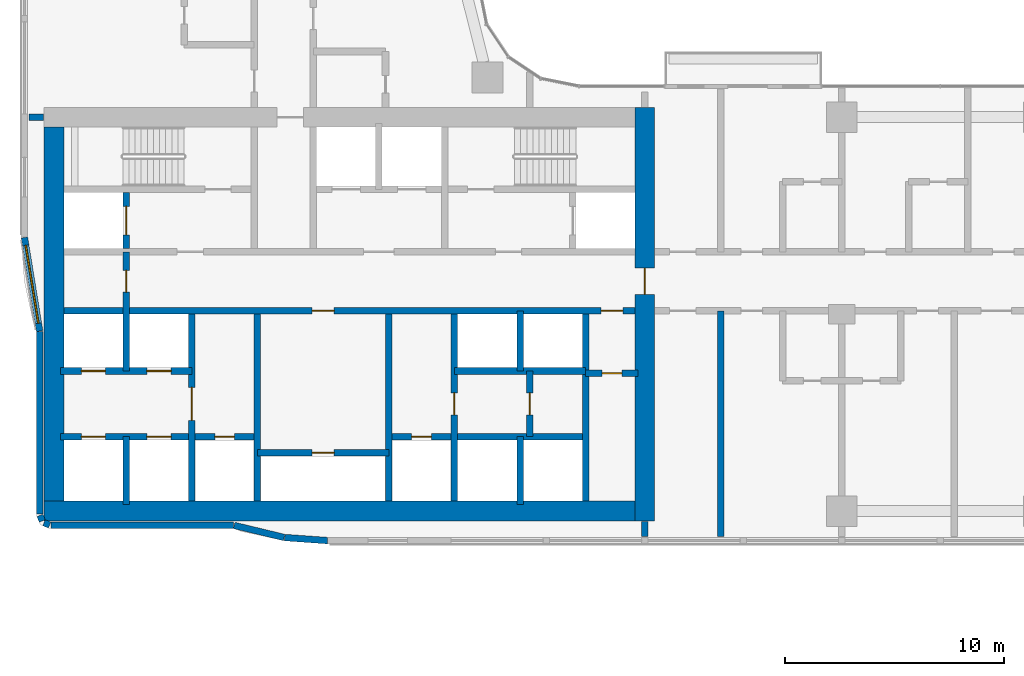
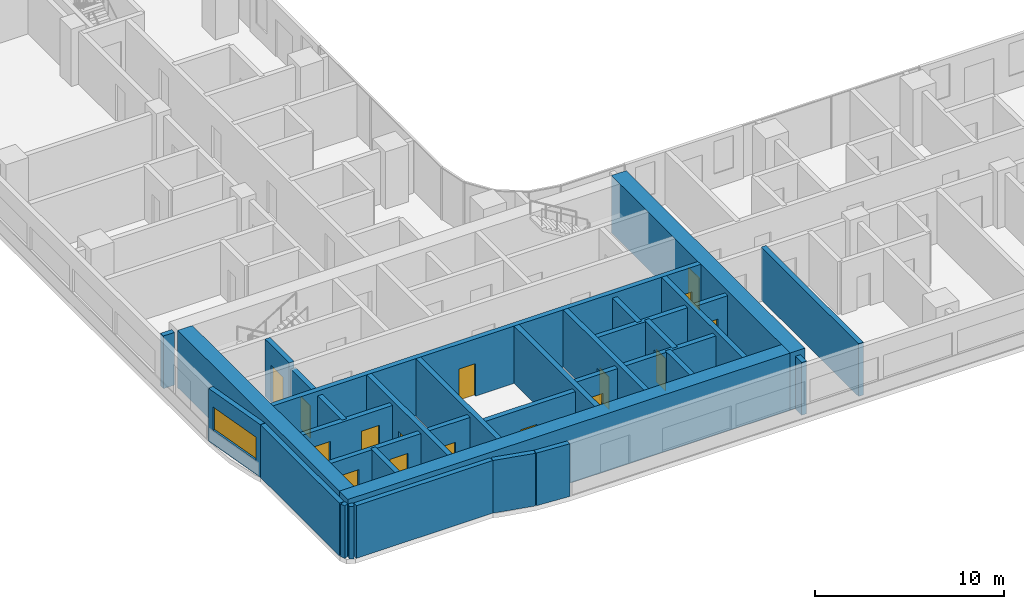
# One storey, part 14 of 31: 31 walls, 16 doors, 1 window, 17 openings.
"""IFC4 building model written with IfcOpenShell, lengths in metres."""

from ifc_helpers import new_model, si_unit, direction, frame, frame_2d, origin, place, context, subcontext, project, spatial, rectangle, extrude, material, layer, layer_set, type_object, element, fill, save


model = new_model("IFC4")

# Units and contexts
model_context = context("Model", 3, precision=1e-05, world=origin(), true_north=direction((0.0, 1.0)))
body_context = subcontext(model_context, "Body", "Model", "MODEL_VIEW")
ifc_project = project(units=[si_unit("LENGTHUNIT", "METRE"), si_unit("AREAUNIT", "SQUARE_METRE"), si_unit("VOLUMEUNIT", "CUBIC_METRE"), si_unit("PLANEANGLEUNIT", "RADIAN"), si_unit("MASSUNIT", "GRAM", prefix="KILO")], contexts=[model_context])

# Site, building, storey
site_placement = place(None, origin())
site = spatial("IfcSite", under=ifc_project, at=site_placement, CompositionType="ELEMENT")
building_placement = place(site_placement, origin())
building = spatial("IfcBuilding", under=site, at=building_placement, Name="Ogive Portal Towers", CompositionType="ELEMENT")
storey_placement = place(building_placement, frame((0.0, 0.0, 74.199951171875)))
storey = spatial("IfcBuildingStorey", under=building, at=storey_placement, Name="L17", CompositionType="ELEMENT", Elevation=74.199951171875)

# Wall, opening, door
ifc_material_1 = material(Name="Concrete C60/75", Category="concrete")
ifc_layer_1 = layer(ifc_material_1, 0.300048828125)
ifc_layer_set_1 = layer_set([ifc_layer_1], Name="CORE WALL 300 C60")
wall_type_1 = type_object("IfcWallType", Name="CORE WALL 300 C60", PredefinedType="SHEAR", material=ifc_layer_set_1)
wall_1_placement = place(storey_placement, frame((37.800048828125, 21.949951171875, 0.0), z_axis=(0.0, 0.0, 1.0), x_axis=(0.0, 1.0, 0.0)))
wall_1 = element("IfcWall", 1, at=wall_1_placement, inside=storey, type_object=wall_type_1, Name="Core wall X1 L17", PredefinedType="SHEAR", context=body_context, shape_type="SweptSolid", body=[
    extrude(rectangle(XDim=8.550048828125, YDim=0.300048828125, at=frame_2d((4.27490234375, 0.0))), origin(), (0.0, 0.0, 1.0), 3.699951171875),
])
opening_1_placement = place(wall_1_placement, frame((3.699951171875, 0.0, 0.0)))
opening_1 = element("IfcOpeningElement", 2, at=opening_1_placement, cuts=wall_1, Name="Opening D05-001", PredefinedType="OPENING", context=body_context, shape_type="SweptSolid", body=[
    extrude(rectangle(XDim=1.5, YDim=2.10009765625, at=frame_2d((0.75, 1.050048828125))), frame((0.0, 0.16015625, 0.0), z_axis=(0.0, -1.0, 0.0), x_axis=(1.0, 0.0, 0.0)), (0.0, 0.0, 1.0), 0.320068359375),
])
ifc_material_2 = material(Name="Steel fire door", Category="steel")
door_type_1 = type_object("IfcDoorType", Name="DT-SWING-1500x2100-FD90S", OperationType="SINGLE_SWING_LEFT", PredefinedType="DOOR", material=ifc_material_2)
door_1_placement = place(opening_1_placement, origin())
door_1 = element("IfcDoor", 3, at=door_1_placement, inside=storey, type_object=door_type_1, Name="Door D05-001", OperationType="SINGLE_SWING_LEFT", OverallHeight=2.10009765625, OverallWidth=1.5, PredefinedType="DOOR", context=body_context, shape_type="SweptSolid", body=[
    extrude(rectangle(XDim=1.5, YDim=2.10009765625, at=frame_2d((0.75, 1.050048828125))), frame((0.0, 0.02490234375, 0.0), z_axis=(0.0, -1.0, 0.0), x_axis=(1.0, 0.0, 0.0)), (0.0, 0.0, 1.0), 0.050048828125),
])
fill(opening_1, door_1)

# Walls
for number, where, z_axis, x_axis, name in (
    (4, (40.800048828125, 21.949951171875, 0.0), (0.0, 0.0, 1.0), (0.0, 1.0, 0.0), "Core wall X2 L17"),
    (5, (46.800048828125, 21.949951171875, 0.0), (0.0, 0.0, 1.0), (0.0, 1.0, 0.0), "Core wall X3 L17"),
):
    element("IfcWall", number, at=place(storey_placement, frame(where, z_axis=z_axis, x_axis=x_axis)), inside=storey, type_object=wall_type_1, Name=name, PredefinedType="SHEAR", context=body_context, shape_type="SweptSolid", body=[
        extrude(rectangle(XDim=8.550048828125, YDim=0.300048828125, at=frame_2d((4.27490234375, 0.0))), origin(), (0.0, 0.0, 1.0), 3.699951171875),
    ])

# Wall, opening, door
wall_2_placement = place(storey_placement, frame((49.800048828125, 21.949951171875, 0.0), z_axis=(0.0, 0.0, 1.0), x_axis=(0.0, 1.0, 0.0)))
wall_2 = element("IfcWall", 6, at=wall_2_placement, inside=storey, type_object=wall_type_1, Name="Core wall X4 L17", PredefinedType="SHEAR", context=body_context, shape_type="SweptSolid", body=[
    extrude(rectangle(XDim=8.550048828125, YDim=0.300048828125, at=frame_2d((4.27490234375, 0.0))), origin(), (0.0, 0.0, 1.0), 3.699951171875),
])
opening_2_placement = place(wall_2_placement, frame((3.949951171875, 0.0, 0.0)))
opening_2 = element("IfcOpeningElement", 7, at=opening_2_placement, cuts=wall_2, Name="Opening D05-023", PredefinedType="OPENING", context=body_context, shape_type="SweptSolid", body=[
    extrude(rectangle(XDim=1.0, YDim=2.10009765625, at=frame_2d((0.5, 1.050048828125))), frame((0.0, 0.16015625, 0.0), z_axis=(0.0, -1.0, 0.0), x_axis=(1.0, 0.0, 0.0)), (0.0, 0.0, 1.0), 0.320068359375),
])
door_type_2 = type_object("IfcDoorType", Name="DT-SWING-1000x2100-FD90S", OperationType="SINGLE_SWING_LEFT", PredefinedType="DOOR", material=ifc_material_2)
door_2_placement = place(opening_2_placement, origin())
door_2 = element("IfcDoor", 8, at=door_2_placement, inside=storey, type_object=door_type_2, Name="Door D05-023", OperationType="SINGLE_SWING_LEFT", OverallHeight=2.10009765625, OverallWidth=1.0, PredefinedType="DOOR", context=body_context, shape_type="SweptSolid", body=[
    extrude(rectangle(XDim=1.0, YDim=2.10009765625, at=frame_2d((0.5, 1.050048828125))), frame((0.0, 0.02490234375, 0.0), z_axis=(0.0, -1.0, 0.0), x_axis=(1.0, 0.0, 0.0)), (0.0, 0.0, 1.0), 0.050048828125),
])
fill(opening_2, door_2)

# Wall
wall_3_placement = place(storey_placement, frame((55.800048828125, 21.949951171875, 0.0), z_axis=(0.0, 0.0, 1.0), x_axis=(0.0, 1.0, 0.0)))
element("IfcWall", 9, at=wall_3_placement, inside=storey, type_object=wall_type_1, Name="Core wall X5 L17", PredefinedType="SHEAR", context=body_context, shape_type="SweptSolid", body=[
    extrude(rectangle(XDim=8.550048828125, YDim=0.300048828125, at=frame_2d((4.27490234375, 0.0))), origin(), (0.0, 0.0, 1.0), 3.699951171875),
])

# Wall, openings, doors
wall_4_placement = place(storey_placement, frame((31.949951171875, 30.64990234375, 0.0), z_axis=(0.0, 0.0, 1.0), x_axis=(1.0, 0.0, 0.0)))
wall_4 = element("IfcWall", 10, at=wall_4_placement, inside=storey, type_object=wall_type_1, Name="Core wall Y1 L17", PredefinedType="SHEAR", context=body_context, shape_type="SweptSolid", body=[
    extrude(rectangle(XDim=26.10009765625, YDim=0.300048828125, at=frame_2d((13.050048828125, 0.0))), origin(), (0.0, 0.0, 1.0), 3.699951171875),
])
opening_3_placement = place(wall_4_placement, frame((24.550048828125, 0.0, 0.0)))
opening_3 = element("IfcOpeningElement", 11, at=opening_3_placement, cuts=wall_4, Name="Opening D05-009", PredefinedType="OPENING", context=body_context, shape_type="SweptSolid", body=[
    extrude(rectangle(XDim=1.0, YDim=2.10009765625, at=frame_2d((0.5, 1.050048828125))), frame((0.0, 0.16015625, 0.0), z_axis=(0.0, -1.0, 0.0), x_axis=(1.0, 0.0, 0.0)), (0.0, 0.0, 1.0), 0.320068359375),
])
opening_4_placement = place(wall_4_placement, frame((11.35009765625, 0.0, 0.0)))
opening_4 = element("IfcOpeningElement", 12, at=opening_4_placement, cuts=wall_4, Name="Opening D05-021", PredefinedType="OPENING", context=body_context, shape_type="SweptSolid", body=[
    extrude(rectangle(XDim=1.0, YDim=2.10009765625, at=frame_2d((0.5, 1.050048828125))), frame((0.0, 0.16015625, 0.0), z_axis=(0.0, -1.0, 0.0), x_axis=(1.0, 0.0, 0.0)), (0.0, 0.0, 1.0), 0.320068359375),
])
door_3_placement = place(opening_3_placement, origin())
door_3 = element("IfcDoor", 13, at=door_3_placement, inside=storey, type_object=door_type_2, Name="Door D05-009", OperationType="SINGLE_SWING_LEFT", OverallHeight=2.10009765625, OverallWidth=1.0, PredefinedType="DOOR", context=body_context, shape_type="SweptSolid", body=[
    extrude(rectangle(XDim=1.0, YDim=2.10009765625, at=frame_2d((0.5, 1.050048828125))), frame((0.0, 0.02490234375, 0.0), z_axis=(0.0, -1.0, 0.0), x_axis=(1.0, 0.0, 0.0)), (0.0, 0.0, 1.0), 0.050048828125),
])
fill(opening_3, door_3)
door_4_placement = place(opening_4_placement, origin())
door_4 = element("IfcDoor", 14, at=door_4_placement, inside=storey, type_object=door_type_2, Name="Door D05-021", OperationType="SINGLE_SWING_LEFT", OverallHeight=2.10009765625, OverallWidth=1.0, PredefinedType="DOOR", context=body_context, shape_type="SweptSolid", body=[
    extrude(rectangle(XDim=1.0, YDim=2.10009765625, at=frame_2d((0.5, 1.050048828125))), frame((0.0, 0.02490234375, 0.0), z_axis=(0.0, -1.0, 0.0), x_axis=(1.0, 0.0, 0.0)), (0.0, 0.0, 1.0), 0.050048828125),
])
fill(opening_4, door_4)

# Wall, opening, door
wall_5_placement = place(storey_placement, frame((34.800048828125, 33.5, 0.0), z_axis=(0.0, 0.0, 1.0), x_axis=(0.0, 1.0, 0.0)))
wall_5 = element("IfcWall", 15, at=wall_5_placement, inside=storey, type_object=wall_type_1, Name="Core wall X8 L17", PredefinedType="SHEAR", context=body_context, shape_type="SweptSolid", body=[
    extrude(rectangle(XDim=2.550048828125, YDim=0.300048828125, at=frame_2d((1.27490234375, 0.0))), origin(), (0.0, 0.0, 1.0), 3.699951171875),
])
opening_5_placement = place(wall_5_placement, frame((0.625, 0.0, 0.0)))
opening_5 = element("IfcOpeningElement", 16, at=opening_5_placement, cuts=wall_5, Name="Opening D05-019", PredefinedType="OPENING", context=body_context, shape_type="SweptSolid", body=[
    extrude(rectangle(XDim=1.300048828125, YDim=2.39990234375, at=frame_2d((0.64990234375, 1.199951171875))), frame((0.0, 0.16015625, 0.0), z_axis=(0.0, -1.0, 0.0), x_axis=(1.0, 0.0, 0.0)), (0.0, 0.0, 1.0), 0.320068359375),
])
ifc_material_3 = material(Name="Stainless steel", Category="steel")
door_type_3 = type_object("IfcDoorType", Name="DT-LD-1300x2400", OperationType="SLIDING_TO_LEFT", PredefinedType="DOOR", material=ifc_material_3)
door_5_placement = place(opening_5_placement, origin())
door_5 = element("IfcDoor", 17, at=door_5_placement, inside=storey, type_object=door_type_3, Name="Door D05-019", OperationType="SLIDING_TO_LEFT", OverallHeight=2.39990234375, OverallWidth=1.300048828125, PredefinedType="DOOR", context=body_context, shape_type="SweptSolid", body=[
    extrude(rectangle(XDim=1.300048828125, YDim=2.39990234375, at=frame_2d((0.64990234375, 1.199951171875))), frame((0.0, 0.02490234375, 0.0), z_axis=(0.0, -1.0, 0.0), x_axis=(1.0, 0.0, 0.0)), (0.0, 0.0, 1.0), 0.050048828125),
])
fill(opening_5, door_5)

# Walls
ifc_layer_2 = layer(ifc_material_1, 0.89990234375)
ifc_layer_set_2 = layer_set([ifc_layer_2], Name="CORE WALL 900 C60")
wall_type_2 = type_object("IfcWallType", Name="CORE WALL 900 C60", PredefinedType="SHEAR", material=ifc_layer_set_2)
wall_6_placement = place(storey_placement, frame((31.5, 21.949951171875, 0.0), z_axis=(0.0, 0.0, 1.0), x_axis=(0.0, 1.0, 0.0)))
element("IfcWall", 18, at=wall_6_placement, inside=storey, type_object=wall_type_2, Name="Core wall W L17", PredefinedType="SHEAR", context=body_context, shape_type="SweptSolid", body=[
    extrude(rectangle(XDim=17.10009765625, YDim=0.89990234375, at=frame_2d((8.550048828125, 0.0))), origin(), (0.0, 0.0, 1.0), 3.699951171875),
])
wall_7_placement = place(storey_placement, frame((31.050048828125, 21.5, 0.0), z_axis=(0.0, 0.0, 1.0), x_axis=(1.0, 0.0, 0.0)))
element("IfcWall", 19, at=wall_7_placement, inside=storey, type_object=wall_type_2, Name="Core wall S L17", PredefinedType="SHEAR", context=body_context, shape_type="SweptSolid", body=[
    extrude(rectangle(XDim=27.0, YDim=0.89990234375, at=frame_2d((13.5, 0.0))), origin(), (0.0, 0.0, 1.0), 3.699951171875),
])

# Wall, opening, door
wall_8_placement = place(storey_placement, frame((58.5, 21.050048828125, 0.0), z_axis=(0.0, 0.0, 1.0), x_axis=(0.0, 1.0, 0.0)))
wall_8 = element("IfcWall", 20, at=wall_8_placement, inside=storey, type_object=wall_type_2, Name="Core wall E L17", PredefinedType="SHEAR", context=body_context, shape_type="SweptSolid", body=[
    extrude(rectangle(XDim=18.89990234375, YDim=0.89990234375, at=frame_2d((9.449951171875, 0.0))), origin(), (0.0, 0.0, 1.0), 3.699951171875),
])
opening_6_placement = place(wall_8_placement, frame((10.35009765625, 0.0, 0.0)))
opening_6 = element("IfcOpeningElement", 21, at=opening_6_placement, cuts=wall_8, Name="Opening D05-011", PredefinedType="OPENING", context=body_context, shape_type="SweptSolid", body=[
    extrude(rectangle(XDim=1.199951171875, YDim=2.10009765625, at=frame_2d((0.60009765625, 1.050048828125))), frame((0.0, 0.4599609375, 0.0), z_axis=(0.0, -1.0, 0.0), x_axis=(1.0, 0.0, 0.0)), (0.0, 0.0, 1.0), 0.919921875),
])
door_type_4 = type_object("IfcDoorType", Name="DT-SWING-1200x2100-FD90S", OperationType="SINGLE_SWING_LEFT", PredefinedType="DOOR", material=ifc_material_2)
door_6_placement = place(opening_6_placement, origin())
door_6 = element("IfcDoor", 22, at=door_6_placement, inside=storey, type_object=door_type_4, Name="Door D05-011", OperationType="SINGLE_SWING_LEFT", OverallHeight=2.10009765625, OverallWidth=1.199951171875, PredefinedType="DOOR", context=body_context, shape_type="SweptSolid", body=[
    extrude(rectangle(XDim=1.199951171875, YDim=2.10009765625, at=frame_2d((0.60009765625, 1.050048828125))), frame((0.0, 0.02490234375, 0.0), z_axis=(0.0, -1.0, 0.0), x_axis=(1.0, 0.0, 0.0)), (0.0, 0.0, 1.0), 0.050048828125),
])
fill(opening_6, door_6)

# Walls
ifc_material_4 = material(Name="Limestone cladding on lightweight block wall", Category="masonry")
ifc_layer_3 = layer(ifc_material_4, 0.300048828125)
ifc_layer_set_3 = layer_set([ifc_layer_3], Name="EXTERNAL WALL 300 STONE")
wall_type_3 = type_object("IfcWallType", Name="EXTERNAL WALL 300 STONE", PredefinedType="SOLIDWALL", material=ifc_layer_set_3)
wall_9_placement = place(storey_placement, frame((30.85009765625, 29.699462890625, 0.0), z_axis=(0.0, 0.0, 1.0), x_axis=(0.0, -1.0, 0.0)))
element("IfcWall", 23, at=wall_9_placement, inside=storey, type_object=wall_type_3, Name="A:L17:f00:r0:wall", PredefinedType="SOLIDWALL", context=body_context, shape_type="SweptSolid", body=[
    extrude(rectangle(XDim=8.33984375, YDim=0.300048828125, at=frame_2d((4.169921875, 0.0))), origin(), (0.0, 0.0, 1.0), 3.400146484375),
])
for number, where, z_axis, x_axis, name in (
    (24, (30.861328125, 21.30224609375, 0.0), (0.0, 0.0, 1.0), (0.38297812142, -0.923757413239, 0.0), "A:L17:f01:r0:wall"),
    (25, (31.0478515625, 20.966796875, 0.0), (0.0, 0.0, 1.0), (0.923757413239, -0.38297812142, 0.0), "A:L17:f02:r0:wall"),
):
    element("IfcWall", number, at=place(storey_placement, frame(where, z_axis=z_axis, x_axis=x_axis)), inside=storey, type_object=wall_type_3, Name=name, PredefinedType="SOLIDWALL", context=body_context, shape_type="SweptSolid", body=[
        extrude(rectangle(XDim=0.275390625, YDim=0.300048828125, at=frame_2d((0.1376953125, 0.0))), origin(), (0.0, 0.0, 1.0), 3.400146484375),
    ])
wall_10_placement = place(storey_placement, frame((31.359619140625, 20.85009765625, 0.0), z_axis=(0.0, 0.0, 1.0), x_axis=(1.0, 0.0, 0.0)))
element("IfcWall", 26, at=wall_10_placement, inside=storey, type_object=wall_type_3, Name="A:L17:f03:r0:wall", PredefinedType="SOLIDWALL", context=body_context, shape_type="SweptSolid", body=[
    extrude(rectangle(XDim=8.33984375, YDim=0.300048828125, at=frame_2d((4.169921875, 0.0))), origin(), (0.0, 0.0, 1.0), 3.400146484375),
])
wall_11_placement = place(storey_placement, frame((39.734619140625, 20.845703125, 0.0), z_axis=(0.0, 0.0, 1.0), x_axis=(0.97206095595, -0.234728562212, 0.0)))
element("IfcWall", 27, at=wall_11_placement, inside=storey, type_object=wall_type_3, Name="A:L17:f04:r0:wall", PredefinedType="SOLIDWALL", context=body_context, shape_type="SweptSolid", body=[
    extrude(rectangle(XDim=2.349609375, YDim=0.300048828125, at=frame_2d((1.1748046875, 0.0))), origin(), (0.0, 0.0, 1.0), 3.400146484375),
])
wall_12_placement = place(storey_placement, frame((42.043212890625, 20.290283203125, 0.0), z_axis=(0.0, 0.0, 1.0), x_axis=(0.997454275884, -0.071308958214, 0.0)))
element("IfcWall", 28, at=wall_12_placement, inside=storey, type_object=wall_type_3, Name="A:L17:f05:r0:wall", PredefinedType="SOLIDWALL", context=body_context, shape_type="SweptSolid", body=[
    extrude(rectangle(XDim=1.961669921875, YDim=0.300048828125, at=frame_2d((0.98095703125, 0.0))), origin(), (0.0, 0.0, 1.0), 3.400146484375),
])

# Wall, opening, window
wall_13_placement = place(storey_placement, frame((30.15185546875, 34.000244140625, 0.0), z_axis=(0.0, 0.0, 1.0), x_axis=(0.160697303067, -0.987003736967, 0.0)))
wall_13 = element("IfcWall", 29, at=wall_13_placement, inside=storey, type_object=wall_type_3, Name="A:L17:f25:r0:wall", PredefinedType="SOLIDWALL", context=body_context, shape_type="SweptSolid", body=[
    extrude(rectangle(XDim=4.3330078125, YDim=0.300048828125, at=frame_2d((2.16650390625, 0.0))), origin(), (0.0, 0.0, 1.0), 3.400146484375),
])
opening_7_placement = place(wall_13_placement, frame((0.366455078125, 0.0, 0.89990234375)))
opening_7 = element("IfcOpeningElement", 30, at=opening_7_placement, cuts=wall_13, Name="Opening WN12", PredefinedType="OPENING", context=body_context, shape_type="SweptSolid", body=[
    extrude(rectangle(XDim=3.60009765625, YDim=1.5, at=frame_2d((1.800048828125, 0.75))), frame((0.0, 0.16015625, 0.0), z_axis=(0.0, -1.0, 0.0), x_axis=(1.0, 0.0, 0.0)), (0.0, 0.0, 1.0), 0.320068359375),
])
ifc_material_5 = material(Name="Glass, clear low-iron insulated glazing", Category="glass")
window_type = type_object("IfcWindowType", Name="WINDOW RIBBON 3600x1500", PartitioningType="TRIPLE_PANEL_VERTICAL", PredefinedType="WINDOW", material=ifc_material_5)
window_placement = place(opening_7_placement, origin())
window = element("IfcWindow", 31, at=window_placement, inside=storey, type_object=window_type, Name="A:L17:f25:r0:w0", OverallHeight=1.5, OverallWidth=3.60009765625, PartitioningType="SINGLE_PANEL", PredefinedType="WINDOW", context=body_context, shape_type="SweptSolid", body=[
    extrude(rectangle(XDim=3.60009765625, YDim=1.5, at=frame_2d((1.800048828125, 0.75))), frame((0.0, 0.030029296875, 0.0), z_axis=(0.0, -1.0, 0.0), x_axis=(1.0, 0.0, 0.0)), (0.0, 0.0, 1.0), 0.06005859375),
])
fill(opening_7, window)

# Wall, opening, door
ifc_material_6 = material(Name="Gypsum board partition on steel studs", Category="steel")
ifc_layer_4 = layer(ifc_material_6, 0.300048828125)
ifc_layer_set_4 = layer_set([ifc_layer_4], Name="WT-PART-300")
wall_type_4 = type_object("IfcWallType", Name="WT-PART-300", PredefinedType="PARTITIONING", material=ifc_layer_set_4)
wall_14_placement = place(storey_placement, frame((40.800048828125, 24.173095703125, 0.0), z_axis=(0.0, 0.0, 1.0), x_axis=(1.0, 0.0, 0.0)))
wall_14 = element("IfcWall", 32, at=wall_14_placement, inside=storey, type_object=wall_type_4, Name="Wall pw:001:L17", PredefinedType="PARTITIONING", context=body_context, shape_type="SweptSolid", body=[
    extrude(rectangle(XDim=6.0, YDim=0.300048828125, at=frame_2d((3.0, 0.0))), origin(), (0.0, 0.0, 1.0), 3.400146484375),
])
opening_8_placement = place(wall_14_placement, frame((2.5, 0.0, 0.0)))
opening_8 = element("IfcOpeningElement", 33, at=opening_8_placement, cuts=wall_14, Name="Opening D05-022", PredefinedType="OPENING", context=body_context, shape_type="SweptSolid", body=[
    extrude(rectangle(XDim=1.0, YDim=2.10009765625, at=frame_2d((0.5, 1.050048828125))), frame((0.0, 0.16015625, 0.0), z_axis=(0.0, -1.0, 0.0), x_axis=(1.0, 0.0, 0.0)), (0.0, 0.0, 1.0), 0.320068359375),
])
door_type_5 = type_object("IfcDoorType", Name="DT-SWING-1000x2100-FD60S", OperationType="SINGLE_SWING_LEFT", PredefinedType="DOOR", material=ifc_material_2)
door_7_placement = place(opening_8_placement, origin())
door_7 = element("IfcDoor", 34, at=door_7_placement, inside=storey, type_object=door_type_5, Name="Riser access door D05-022", OperationType="SINGLE_SWING_RIGHT", OverallHeight=2.10009765625, OverallWidth=1.0, PredefinedType="DOOR", context=body_context, shape_type="SweptSolid", body=[
    extrude(rectangle(XDim=1.0, YDim=2.10009765625, at=frame_2d((0.5, 1.050048828125))), frame((0.0, 0.02490234375, 0.0), z_axis=(0.0, -1.0, 0.0), x_axis=(1.0, 0.0, 0.0)), (0.0, 0.0, 1.0), 0.050048828125),
])
fill(opening_8, door_7)

wall_15_placement = place(storey_placement, frame((55.800048828125, 27.800048828125, 0.0), z_axis=(0.0, 0.0, 1.0), x_axis=(1.0, 0.0, 0.0)))
wall_15 = element("IfcWall", 35, at=wall_15_placement, inside=storey, type_object=wall_type_4, Name="Wall pw:004:L17", PredefinedType="PARTITIONING", context=body_context, shape_type="SweptSolid", body=[
    extrude(rectangle(XDim=2.39990234375, YDim=0.300048828125, at=frame_2d((1.199951171875, 0.0))), origin(), (0.0, 0.0, 1.0), 3.400146484375),
])
opening_9_placement = place(wall_15_placement, frame((0.75, 0.0, 0.0)))
opening_9 = element("IfcOpeningElement", 36, at=opening_9_placement, cuts=wall_15, Name="Opening D05-010", PredefinedType="OPENING", context=body_context, shape_type="SweptSolid", body=[
    extrude(rectangle(XDim=0.89990234375, YDim=2.10009765625, at=frame_2d((0.449951171875, 1.050048828125))), frame((0.0, 0.16015625, 0.0), z_axis=(0.0, -1.0, 0.0), x_axis=(1.0, 0.0, 0.0)), (0.0, 0.0, 1.0), 0.320068359375),
])
door_type_6 = type_object("IfcDoorType", Name="DT-SWING-900x2100-FD60S", OperationType="SINGLE_SWING_LEFT", PredefinedType="DOOR", material=ifc_material_2)
door_8_placement = place(opening_9_placement, origin())
door_8 = element("IfcDoor", 37, at=door_8_placement, inside=storey, type_object=door_type_6, Name="Door D05-010", OperationType="SINGLE_SWING_RIGHT", OverallHeight=2.10009765625, OverallWidth=0.89990234375, PredefinedType="DOOR", context=body_context, shape_type="SweptSolid", body=[
    extrude(rectangle(XDim=0.89990234375, YDim=2.10009765625, at=frame_2d((0.449951171875, 1.050048828125))), frame((0.0, 0.02490234375, 0.0), z_axis=(0.0, -1.0, 0.0), x_axis=(1.0, 0.0, 0.0)), (0.0, 0.0, 1.0), 0.050048828125),
])
fill(opening_9, door_8)

# Walls
ifc_layer_5 = layer(ifc_material_6, 0.300048828125)
ifc_layer_set_5 = layer_set([ifc_layer_5], Name="WT-PART-300-EI 60")
wall_type_5 = type_object("IfcWallType", Name="WT-PART-300-EI 60", PredefinedType="PARTITIONING", material=ifc_layer_set_5)
for number, where, z_axis, x_axis, name in (
    (38, (30.35009765625, 39.5, 0.0), (0.0, 0.0, 1.0), (1.0, 0.0, 0.0), "Wall L17:w012"),
    (39, (58.5, 20.35009765625, 0.0), (0.0, 0.0, 1.0), (0.0, 1.0, 0.0), "Wall L17:w043"),
):
    element("IfcWall", number, at=place(storey_placement, frame(where, z_axis=z_axis, x_axis=x_axis)), inside=storey, type_object=wall_type_5, Name=name, PredefinedType="PARTITIONING", context=body_context, shape_type="SweptSolid", body=[
        extrude(rectangle(XDim=0.679931640625, YDim=0.300048828125, at=frame_2d((0.33984375, 0.0))), origin(), (0.0, 0.0, 1.0), 3.400146484375),
    ])
wall_16_placement = place(storey_placement, frame((61.969970703125, 20.35009765625, 0.0), z_axis=(0.0, 0.0, 1.0), x_axis=(0.0, 1.0, 0.0)))
element("IfcWall", 40, at=wall_16_placement, inside=storey, type_object=wall_type_5, Name="Wall L17:w045", PredefinedType="PARTITIONING", context=body_context, shape_type="SweptSolid", body=[
    extrude(rectangle(XDim=10.2998046875, YDim=0.300048828125, at=frame_2d((5.14990234375, 0.0))), origin(), (0.0, 0.0, 1.0), 3.400146484375),
])

# Wall, openings, doors
ifc_material_7 = material(Name="Concrete C40/50", Category="concrete")
ifc_layer_6 = layer(ifc_material_7, 0.300048828125)
ifc_layer_set_6 = layer_set([ifc_layer_6], Name="WT-SHAFT-300")
wall_type_6 = type_object("IfcWallType", Name="WT-SHAFT-300", PredefinedType="SOLIDWALL", material=ifc_layer_set_6)
wall_17_placement = place(storey_placement, frame((31.800048828125, 24.89990234375, 0.0), z_axis=(0.0, 0.0, 1.0), x_axis=(1.0, 0.0, 0.0)))
wall_17 = element("IfcWall", 41, at=wall_17_placement, inside=storey, type_object=wall_type_6, Name="Wall pw:002:L17", PredefinedType="SOLIDWALL", context=body_context, shape_type="SweptSolid", body=[
    extrude(rectangle(XDim=9.0, YDim=0.300048828125, at=frame_2d((4.5, 0.0))), origin(), (0.0, 0.0, 1.0), 3.400146484375),
])
opening_10_placement = place(wall_17_placement, frame((7.050048828125, 0.0, 0.0)))
opening_10 = element("IfcOpeningElement", 42, at=opening_10_placement, cuts=wall_17, Name="Opening D05-007", PredefinedType="OPENING", context=body_context, shape_type="SweptSolid", body=[
    extrude(rectangle(XDim=0.89990234375, YDim=2.10009765625, at=frame_2d((0.449951171875, 1.050048828125))), frame((0.0, 0.16015625, 0.0), z_axis=(0.0, -1.0, 0.0), x_axis=(1.0, 0.0, 0.0)), (0.0, 0.0, 1.0), 0.320068359375),
])
opening_11_placement = place(wall_17_placement, frame((0.949951171875, 0.0, 0.0)))
opening_11 = element("IfcOpeningElement", 43, at=opening_11_placement, cuts=wall_17, Name="Opening D05-013", PredefinedType="OPENING", context=body_context, shape_type="SweptSolid", body=[
    extrude(rectangle(XDim=1.10009765625, YDim=2.39990234375, at=frame_2d((0.550048828125, 1.199951171875))), frame((0.0, 0.16015625, 0.0), z_axis=(0.0, -1.0, 0.0), x_axis=(1.0, 0.0, 0.0)), (0.0, 0.0, 1.0), 0.320068359375),
])
opening_12_placement = place(wall_17_placement, frame((3.949951171875, 0.0, 0.0)))
opening_12 = element("IfcOpeningElement", 44, at=opening_12_placement, cuts=wall_17, Name="Opening D05-014", PredefinedType="OPENING", context=body_context, shape_type="SweptSolid", body=[
    extrude(rectangle(XDim=1.10009765625, YDim=2.39990234375, at=frame_2d((0.550048828125, 1.199951171875))), frame((0.0, 0.16015625, 0.0), z_axis=(0.0, -1.0, 0.0), x_axis=(1.0, 0.0, 0.0)), (0.0, 0.0, 1.0), 0.320068359375),
])
door_type_7 = type_object("IfcDoorType", Name="DT-LD-1100x2400", OperationType="SLIDING_TO_LEFT", PredefinedType="DOOR", material=ifc_material_3)
door_9_placement = place(opening_11_placement, origin())
door_9 = element("IfcDoor", 45, at=door_9_placement, inside=storey, type_object=door_type_7, Name="Door D05-013", OperationType="SLIDING_TO_LEFT", OverallHeight=2.39990234375, OverallWidth=1.10009765625, PredefinedType="DOOR", context=body_context, shape_type="SweptSolid", body=[
    extrude(rectangle(XDim=1.10009765625, YDim=2.39990234375, at=frame_2d((0.550048828125, 1.199951171875))), frame((0.0, 0.02490234375, 0.0), z_axis=(0.0, -1.0, 0.0), x_axis=(1.0, 0.0, 0.0)), (0.0, 0.0, 1.0), 0.050048828125),
])
fill(opening_11, door_9)
door_10_placement = place(opening_12_placement, origin())
door_10 = element("IfcDoor", 46, at=door_10_placement, inside=storey, type_object=door_type_7, Name="Door D05-014", OperationType="SLIDING_TO_LEFT", OverallHeight=2.39990234375, OverallWidth=1.10009765625, PredefinedType="DOOR", context=body_context, shape_type="SweptSolid", body=[
    extrude(rectangle(XDim=1.10009765625, YDim=2.39990234375, at=frame_2d((0.550048828125, 1.199951171875))), frame((0.0, 0.02490234375, 0.0), z_axis=(0.0, -1.0, 0.0), x_axis=(1.0, 0.0, 0.0)), (0.0, 0.0, 1.0), 0.050048828125),
])
fill(opening_12, door_10)
door_type_8 = type_object("IfcDoorType", Name="DT-SWING-900x2100-FD90S", OperationType="SINGLE_SWING_LEFT", PredefinedType="DOOR", material=ifc_material_2)
door_11_placement = place(opening_10_placement, origin())
door_11 = element("IfcDoor", 47, at=door_11_placement, inside=storey, type_object=door_type_8, Name="Riser access door D05-007", OperationType="SINGLE_SWING_LEFT", OverallHeight=2.10009765625, OverallWidth=0.89990234375, PredefinedType="DOOR", context=body_context, shape_type="SweptSolid", body=[
    extrude(rectangle(XDim=0.89990234375, YDim=2.10009765625, at=frame_2d((0.449951171875, 1.050048828125))), frame((0.0, 0.02490234375, 0.0), z_axis=(0.0, -1.0, 0.0), x_axis=(1.0, 0.0, 0.0)), (0.0, 0.0, 1.0), 0.050048828125),
])
fill(opening_10, door_11)

# Wall, opening, door
wall_18_placement = place(storey_placement, frame((46.800048828125, 24.89990234375, 0.0), z_axis=(0.0, 0.0, 1.0), x_axis=(1.0, 0.0, 0.0)))
wall_18 = element("IfcWall", 48, at=wall_18_placement, inside=storey, type_object=wall_type_6, Name="Wall pw:003:L17", PredefinedType="SOLIDWALL", context=body_context, shape_type="SweptSolid", body=[
    extrude(rectangle(XDim=9.0, YDim=0.300048828125, at=frame_2d((4.5, 0.0))), origin(), (0.0, 0.0, 1.0), 3.400146484375),
])
opening_13_placement = place(wall_18_placement, frame((1.050048828125, 0.0, 0.0)))
opening_13 = element("IfcOpeningElement", 49, at=opening_13_placement, cuts=wall_18, Name="Opening D05-008", PredefinedType="OPENING", context=body_context, shape_type="SweptSolid", body=[
    extrude(rectangle(XDim=0.89990234375, YDim=2.10009765625, at=frame_2d((0.449951171875, 1.050048828125))), frame((0.0, 0.16015625, 0.0), z_axis=(0.0, -1.0, 0.0), x_axis=(1.0, 0.0, 0.0)), (0.0, 0.0, 1.0), 0.320068359375),
])
door_12_placement = place(opening_13_placement, origin())
door_12 = element("IfcDoor", 50, at=door_12_placement, inside=storey, type_object=door_type_8, Name="Riser access door D05-008", OperationType="SINGLE_SWING_RIGHT", OverallHeight=2.10009765625, OverallWidth=0.89990234375, PredefinedType="DOOR", context=body_context, shape_type="SweptSolid", body=[
    extrude(rectangle(XDim=0.89990234375, YDim=2.10009765625, at=frame_2d((0.449951171875, 1.050048828125))), frame((0.0, 0.02490234375, 0.0), z_axis=(0.0, -1.0, 0.0), x_axis=(1.0, 0.0, 0.0)), (0.0, 0.0, 1.0), 0.050048828125),
])
fill(opening_13, door_12)

# Wall, openings, doors
wall_19_placement = place(storey_placement, frame((31.800048828125, 27.89990234375, 0.0), z_axis=(0.0, 0.0, 1.0), x_axis=(1.0, 0.0, 0.0)))
wall_19 = element("IfcWall", 51, at=wall_19_placement, inside=storey, type_object=wall_type_6, Name="Wall pw:005:L17", PredefinedType="SOLIDWALL", context=body_context, shape_type="SweptSolid", body=[
    extrude(rectangle(XDim=6.0, YDim=0.300048828125, at=frame_2d((3.0, 0.0))), origin(), (0.0, 0.0, 1.0), 3.400146484375),
])
opening_14_placement = place(wall_19_placement, frame((0.949951171875, 0.0, 0.0)))
opening_14 = element("IfcOpeningElement", 52, at=opening_14_placement, cuts=wall_19, Name="Opening D05-015", PredefinedType="OPENING", context=body_context, shape_type="SweptSolid", body=[
    extrude(rectangle(XDim=1.10009765625, YDim=2.39990234375, at=frame_2d((0.550048828125, 1.199951171875))), frame((0.0, 0.16015625, 0.0), z_axis=(0.0, -1.0, 0.0), x_axis=(1.0, 0.0, 0.0)), (0.0, 0.0, 1.0), 0.320068359375),
])
opening_15_placement = place(wall_19_placement, frame((3.949951171875, 0.0, 0.0)))
opening_15 = element("IfcOpeningElement", 53, at=opening_15_placement, cuts=wall_19, Name="Opening D05-016", PredefinedType="OPENING", context=body_context, shape_type="SweptSolid", body=[
    extrude(rectangle(XDim=1.10009765625, YDim=2.39990234375, at=frame_2d((0.550048828125, 1.199951171875))), frame((0.0, 0.16015625, 0.0), z_axis=(0.0, -1.0, 0.0), x_axis=(1.0, 0.0, 0.0)), (0.0, 0.0, 1.0), 0.320068359375),
])
door_13_placement = place(opening_14_placement, origin())
door_13 = element("IfcDoor", 54, at=door_13_placement, inside=storey, type_object=door_type_7, Name="Door D05-015", OperationType="SLIDING_TO_LEFT", OverallHeight=2.39990234375, OverallWidth=1.10009765625, PredefinedType="DOOR", context=body_context, shape_type="SweptSolid", body=[
    extrude(rectangle(XDim=1.10009765625, YDim=2.39990234375, at=frame_2d((0.550048828125, 1.199951171875))), frame((0.0, 0.02490234375, 0.0), z_axis=(0.0, -1.0, 0.0), x_axis=(1.0, 0.0, 0.0)), (0.0, 0.0, 1.0), 0.050048828125),
])
fill(opening_14, door_13)
door_14_placement = place(opening_15_placement, origin())
door_14 = element("IfcDoor", 55, at=door_14_placement, inside=storey, type_object=door_type_7, Name="Door D05-016", OperationType="SLIDING_TO_LEFT", OverallHeight=2.39990234375, OverallWidth=1.10009765625, PredefinedType="DOOR", context=body_context, shape_type="SweptSolid", body=[
    extrude(rectangle(XDim=1.10009765625, YDim=2.39990234375, at=frame_2d((0.550048828125, 1.199951171875))), frame((0.0, 0.02490234375, 0.0), z_axis=(0.0, -1.0, 0.0), x_axis=(1.0, 0.0, 0.0)), (0.0, 0.0, 1.0), 0.050048828125),
])
fill(opening_15, door_14)

# Walls
wall_20_placement = place(storey_placement, frame((49.800048828125, 27.89990234375, 0.0), z_axis=(0.0, 0.0, 1.0), x_axis=(1.0, 0.0, 0.0)))
element("IfcWall", 56, at=wall_20_placement, inside=storey, type_object=wall_type_6, Name="Wall pw:006:L17", PredefinedType="SOLIDWALL", context=body_context, shape_type="SweptSolid", body=[
    extrude(rectangle(XDim=6.0, YDim=0.300048828125, at=frame_2d((3.0, 0.0))), origin(), (0.0, 0.0, 1.0), 3.400146484375),
])
wall_21_placement = place(storey_placement, frame((34.800048828125, 21.800048828125, 0.0), z_axis=(0.0, 0.0, 1.0), x_axis=(0.0, 1.0, 0.0)))
element("IfcWall", 57, at=wall_21_placement, inside=storey, type_object=wall_type_6, Name="Wall pw:007:L17", PredefinedType="SOLIDWALL", context=body_context, shape_type="SweptSolid", body=[
    extrude(rectangle(XDim=3.099853515625, YDim=0.300048828125, at=frame_2d((1.5498046875, 0.0))), origin(), (0.0, 0.0, 1.0), 3.400146484375),
])

# Wall, opening, door
wall_22_placement = place(storey_placement, frame((34.800048828125, 27.89990234375, 0.0), z_axis=(0.0, 0.0, 1.0), x_axis=(0.0, 1.0, 0.0)))
wall_22 = element("IfcWall", 58, at=wall_22_placement, inside=storey, type_object=wall_type_6, Name="Wall pw:008:L17", PredefinedType="SOLIDWALL", context=body_context, shape_type="SweptSolid", body=[
    extrude(rectangle(XDim=5.4501953125, YDim=0.300048828125, at=frame_2d((2.72509765625, 0.0))), origin(), (0.0, 0.0, 1.0), 3.400146484375),
])
opening_16_placement = place(wall_22_placement, frame((3.60009765625, 0.0, 0.0)))
opening_16 = element("IfcOpeningElement", 59, at=opening_16_placement, cuts=wall_22, Name="Opening D05-025", PredefinedType="OPENING", context=body_context, shape_type="SweptSolid", body=[
    extrude(rectangle(XDim=1.0, YDim=2.10009765625, at=frame_2d((0.5, 1.050048828125))), frame((0.0, 0.16015625, 0.0), z_axis=(0.0, -1.0, 0.0), x_axis=(1.0, 0.0, 0.0)), (0.0, 0.0, 1.0), 0.320068359375),
])
door_15_placement = place(opening_16_placement, origin())
door_15 = element("IfcDoor", 60, at=door_15_placement, inside=storey, type_object=door_type_2, Name="Door D05-025", OperationType="SINGLE_SWING_LEFT", OverallHeight=2.10009765625, OverallWidth=1.0, PredefinedType="DOOR", context=body_context, shape_type="SweptSolid", body=[
    extrude(rectangle(XDim=1.0, YDim=2.10009765625, at=frame_2d((0.5, 1.050048828125))), frame((0.0, 0.02490234375, 0.0), z_axis=(0.0, -1.0, 0.0), x_axis=(1.0, 0.0, 0.0)), (0.0, 0.0, 1.0), 0.050048828125),
])
fill(opening_16, door_15)

# Walls
wall_23_placement = place(storey_placement, frame((52.800048828125, 21.800048828125, 0.0), z_axis=(0.0, 0.0, 1.0), x_axis=(0.0, 1.0, 0.0)))
element("IfcWall", 61, at=wall_23_placement, inside=storey, type_object=wall_type_6, Name="Wall pw:010:L17", PredefinedType="SOLIDWALL", context=body_context, shape_type="SweptSolid", body=[
    extrude(rectangle(XDim=3.099853515625, YDim=0.300048828125, at=frame_2d((1.5498046875, 0.0))), origin(), (0.0, 0.0, 1.0), 3.400146484375),
])
wall_24_placement = place(storey_placement, frame((52.800048828125, 27.89990234375, 0.0), z_axis=(0.0, 0.0, 1.0), x_axis=(0.0, 1.0, 0.0)))
element("IfcWall", 62, at=wall_24_placement, inside=storey, type_object=wall_type_6, Name="Wall pw:011:L17", PredefinedType="SOLIDWALL", context=body_context, shape_type="SweptSolid", body=[
    extrude(rectangle(XDim=2.75, YDim=0.300048828125, at=frame_2d((1.375, 0.0))), origin(), (0.0, 0.0, 1.0), 3.400146484375),
])

# Wall, opening, door
wall_25_placement = place(storey_placement, frame((53.25, 24.89990234375, 0.0), z_axis=(0.0, 0.0, 1.0), x_axis=(0.0, 1.0, 0.0)))
wall_25 = element("IfcWall", 63, at=wall_25_placement, inside=storey, type_object=wall_type_6, Name="Wall pw:012:L17", PredefinedType="SOLIDWALL", context=body_context, shape_type="SweptSolid", body=[
    extrude(rectangle(XDim=3.0, YDim=0.300048828125, at=frame_2d((1.5, 0.0))), origin(), (0.0, 0.0, 1.0), 3.400146484375),
])
opening_17_placement = place(wall_25_placement, frame((1.0, 0.0, 0.0)))
opening_17 = element("IfcOpeningElement", 64, at=opening_17_placement, cuts=wall_25, Name="Opening D05-024", PredefinedType="OPENING", context=body_context, shape_type="SweptSolid", body=[
    extrude(rectangle(XDim=1.0, YDim=2.10009765625, at=frame_2d((0.5, 1.050048828125))), frame((0.0, 0.16015625, 0.0), z_axis=(0.0, -1.0, 0.0), x_axis=(1.0, 0.0, 0.0)), (0.0, 0.0, 1.0), 0.320068359375),
])
door_16_placement = place(opening_17_placement, origin())
door_16 = element("IfcDoor", 65, at=door_16_placement, inside=storey, type_object=door_type_2, Name="Door D05-024", OperationType="SINGLE_SWING_RIGHT", OverallHeight=2.10009765625, OverallWidth=1.0, PredefinedType="DOOR", context=body_context, shape_type="SweptSolid", body=[
    extrude(rectangle(XDim=1.0, YDim=2.10009765625, at=frame_2d((0.5, 1.050048828125))), frame((0.0, 0.02490234375, 0.0), z_axis=(0.0, -1.0, 0.0), x_axis=(1.0, 0.0, 0.0)), (0.0, 0.0, 1.0), 0.050048828125),
])
fill(opening_17, door_16)

save(model, "model.ifc")
